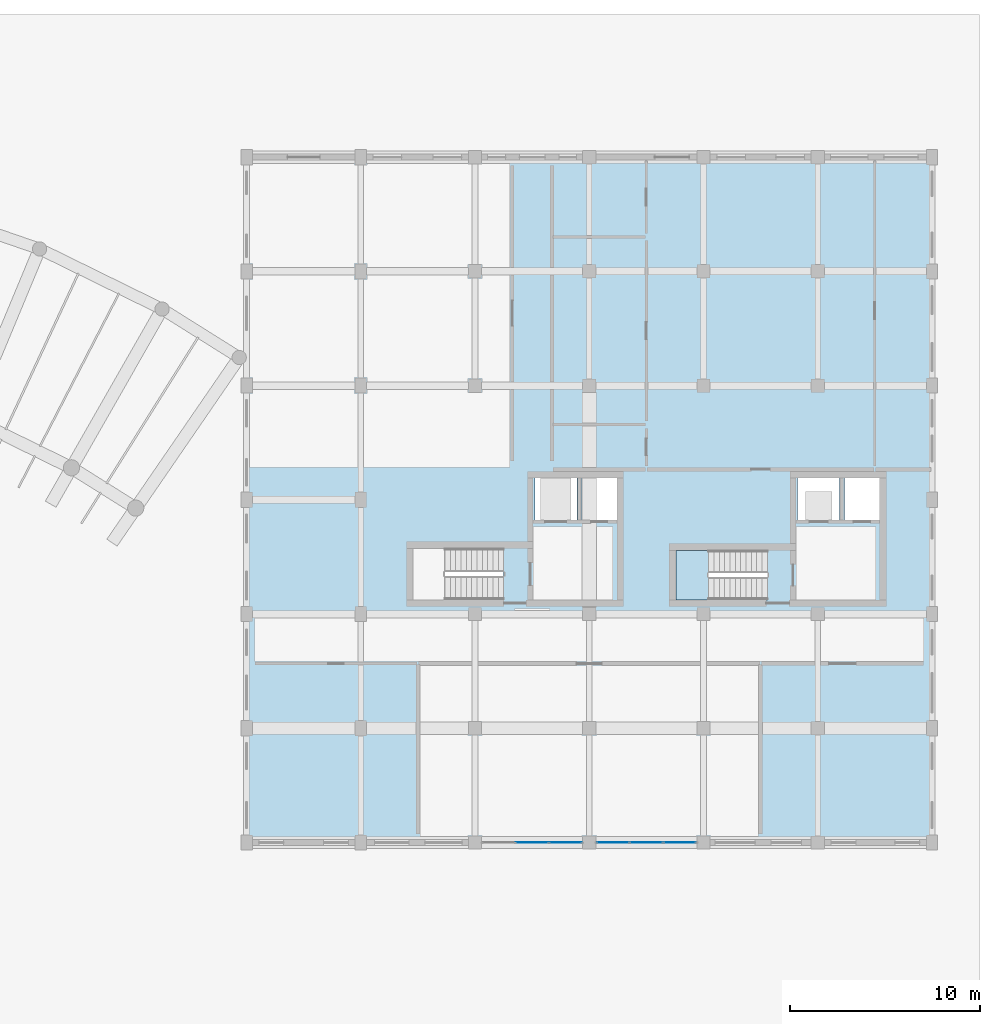
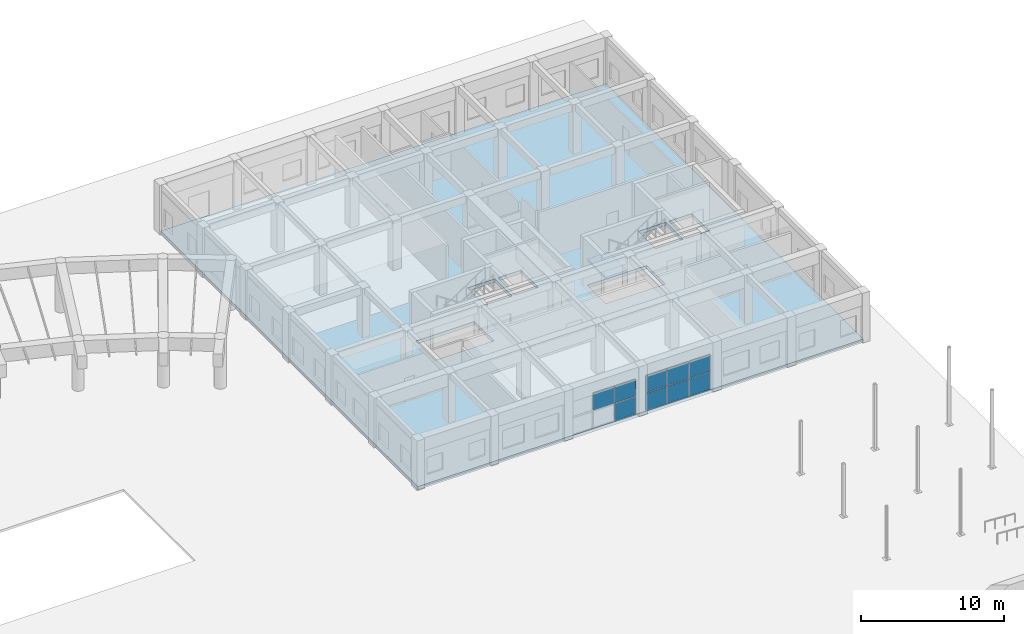
# One storey, part 44 of 76: 9 plates, 2 slabs, 3 elements without a shape of their own.
"""IFC4 building model written with IfcOpenShell, lengths in metres."""

from ifc_helpers import new_model, si_unit, direction, frame, origin, origin_2d, place, context, subcontext, project, spatial, polyline, rectangle, outline, extrude, material, layer, layer_set, type_object, element, aggregate, save


model = new_model("IFC4")

# Units and contexts
model_context = context("Model", 3, precision=1e-05, world=origin(), true_north=direction((0.0, 1.0)))
body_context = subcontext(model_context, "Body", "Model", "MODEL_VIEW")
ifc_project = project(units=[si_unit("LENGTHUNIT", "METRE"), si_unit("AREAUNIT", "SQUARE_METRE"), si_unit("VOLUMEUNIT", "CUBIC_METRE"), si_unit("PLANEANGLEUNIT", "RADIAN"), si_unit("MASSUNIT", "GRAM", prefix="KILO"), si_unit("POWERUNIT", "WATT"), si_unit("THERMODYNAMICTEMPERATUREUNIT", "KELVIN")], contexts=[model_context])

# Site, building, storey
site_placement = place(None, origin())
site = spatial("IfcSite", under=ifc_project, at=site_placement, CompositionType="ELEMENT")
building_placement = place(site_placement, origin())
building = spatial("IfcBuilding", under=site, at=building_placement, Name="Ruvembo Vaulted Housing Court", CompositionType="ELEMENT")
storey_placement = place(building_placement, origin())
storey = spatial("IfcBuildingStorey", under=building, at=storey_placement, Name="L00", CompositionType="ELEMENT", Elevation=0.0)

# Curtain wall, plates
ifc_material_1 = material(Name="Anodised Aluminium and Solar-Control Glass", Category="aluminium")
ifc_layer_1 = layer(ifc_material_1, 0.159912109375, Name="Anodised Aluminium and Solar-Control Glass")
ifc_layer_set_1 = layer_set([ifc_layer_1], Name="Anodised Aluminium and Solar-Control Glass")
curtain_wall_type = type_object("IfcCurtainWallType", Name="CW-LOBBY", PredefinedType="NOTDEFINED", material=ifc_layer_set_1)
curtain_wall_1_placement = place(storey_placement, origin())
curtain_wall_1 = element("IfcCurtainWall", 1, at=curtain_wall_1_placement, inside=storey, type_object=curtain_wall_type, Name="L00 Curtain Wall CW-L00-0008", PredefinedType="NOTDEFINED")
ifc_material_2 = material(Name="Solar-Control Laminated Insulating Glass", Category="glass")
ifc_layer_2 = layer(ifc_material_2, 0.028076171875, Name="Solar-Control Laminated Insulating Glass")
ifc_layer_set_2 = layer_set([ifc_layer_2], Name="Solar-Control Laminated Insulating Glass")
plate_type_1 = type_object("IfcPlateType", Name="CW-PANEL-GLAZED", PredefinedType="CURTAIN_PANEL", material=ifc_layer_set_2)
plate_1_placement = place(storey_placement, frame((169.248291015625, 72.0, 0.06005859375), z_axis=(0.0, 0.0, 1.0), x_axis=(1.0, 0.0, 0.0)))
plate_1 = element("IfcPlate", 2, at=plate_1_placement, type_object=plate_type_1, Name="CW5 panel 1.1", PredefinedType="CURTAIN_PANEL", context=body_context, shape_type="SweptSolid", body=[
    extrude(rectangle(XDim=1.6767578125, YDim=0.028076171875, at=origin_2d()), origin(), (0.0, 0.0, 1.0), 1.466064453125),
])
plate_2_placement = place(storey_placement, frame((169.248291015625, 72.0, 1.5859375), z_axis=(0.0, 0.0, 1.0), x_axis=(1.0, 0.0, 0.0)))
plate_2 = element("IfcPlate", 3, at=plate_2_placement, type_object=plate_type_1, Name="CW5 panel 1.2", PredefinedType="CURTAIN_PANEL", context=body_context, shape_type="SweptSolid", body=[
    extrude(rectangle(XDim=1.6767578125, YDim=0.028076171875, at=origin_2d()), origin(), (0.0, 0.0, 1.0), 1.466064453125),
])
plate_3_placement = place(storey_placement, frame((171.0, 72.0, 0.06005859375), z_axis=(0.0, 0.0, 1.0), x_axis=(1.0, 0.0, 0.0)))
plate_3 = element("IfcPlate", 4, at=plate_3_placement, type_object=plate_type_1, Name="CW5 panel 2.1", PredefinedType="CURTAIN_PANEL", context=body_context, shape_type="SweptSolid", body=[
    extrude(rectangle(XDim=1.706787109375, YDim=0.028076171875, at=origin_2d()), origin(), (0.0, 0.0, 1.0), 1.466064453125),
])
plate_4_placement = place(storey_placement, frame((171.0, 72.0, 1.5859375), z_axis=(0.0, 0.0, 1.0), x_axis=(1.0, 0.0, 0.0)))
plate_4 = element("IfcPlate", 5, at=plate_4_placement, type_object=plate_type_1, Name="CW5 panel 2.2", PredefinedType="CURTAIN_PANEL", context=body_context, shape_type="SweptSolid", body=[
    extrude(rectangle(XDim=1.706787109375, YDim=0.028076171875, at=origin_2d()), origin(), (0.0, 0.0, 1.0), 1.466064453125),
])
plate_5_placement = place(storey_placement, frame((172.751708984375, 72.0, 0.06005859375), z_axis=(0.0, 0.0, 1.0), x_axis=(1.0, 0.0, 0.0)))
plate_5 = element("IfcPlate", 6, at=plate_5_placement, type_object=plate_type_1, Name="CW5 panel 3.1", PredefinedType="CURTAIN_PANEL", context=body_context, shape_type="SweptSolid", body=[
    extrude(rectangle(XDim=1.6767578125, YDim=0.028076171875, at=origin_2d()), origin(), (0.0, 0.0, 1.0), 1.466064453125),
])
plate_6_placement = place(storey_placement, frame((172.751708984375, 72.0, 1.5859375), z_axis=(0.0, 0.0, 1.0), x_axis=(1.0, 0.0, 0.0)))
plate_6 = element("IfcPlate", 7, at=plate_6_placement, type_object=plate_type_1, Name="CW5 panel 3.2", PredefinedType="CURTAIN_PANEL", context=body_context, shape_type="SweptSolid", body=[
    extrude(rectangle(XDim=1.6767578125, YDim=0.028076171875, at=origin_2d()), origin(), (0.0, 0.0, 1.0), 1.466064453125),
])
aggregate(curtain_wall_1, [plate_1, plate_2, plate_3, plate_4, plate_5, plate_6])

curtain_wall_2_placement = place(storey_placement, origin())
curtain_wall_2 = element("IfcCurtainWall", 8, at=curtain_wall_2_placement, inside=storey, type_object=curtain_wall_type, Name="L00 Curtain Wall CW-L00-0007", PredefinedType="NOTDEFINED")
ifc_layer_3 = layer(ifc_material_2, 0.031982421875, Name="Solar-Control Laminated Insulating Glass")
ifc_layer_set_3 = layer_set([ifc_layer_3], Name="Solar-Control Laminated Insulating Glass")
plate_type_2 = type_object("IfcPlateType", Name="CW-PANEL-SOLAR", PredefinedType="CURTAIN_PANEL", material=ifc_layer_set_3)
plate_7_placement = place(storey_placement, frame((165.0, 72.0, 1.588623046875), z_axis=(0.0, 0.0, 1.0), x_axis=(1.0, 0.0, 0.0)))
plate_7 = element("IfcPlate", 9, at=plate_7_placement, type_object=plate_type_2, Name="CW5 panel 2.2", PredefinedType="CURTAIN_PANEL", context=body_context, shape_type="SweptSolid", body=[
    extrude(rectangle(XDim=1.711669921875, YDim=0.031982421875, at=origin_2d()), origin(), (0.0, 0.0, 1.0), 1.45849609375),
])
plate_8_placement = place(storey_placement, frame((166.7529296875, 72.0, 0.06494140625), z_axis=(0.0, 0.0, 1.0), x_axis=(1.0, 0.0, 0.0)))
plate_8 = element("IfcPlate", 10, at=plate_8_placement, type_object=plate_type_2, Name="CW5 panel 3.1", PredefinedType="CURTAIN_PANEL", context=body_context, shape_type="SweptSolid", body=[
    extrude(rectangle(XDim=1.68408203125, YDim=0.031982421875, at=origin_2d()), origin(), (0.0, 0.0, 1.0), 1.45849609375),
])
plate_9_placement = place(storey_placement, frame((166.7529296875, 72.0, 1.588623046875), z_axis=(0.0, 0.0, 1.0), x_axis=(1.0, 0.0, 0.0)))
plate_9 = element("IfcPlate", 11, at=plate_9_placement, type_object=plate_type_2, Name="CW5 panel 3.2", PredefinedType="CURTAIN_PANEL", context=body_context, shape_type="SweptSolid", body=[
    extrude(rectangle(XDim=1.68408203125, YDim=0.031982421875, at=origin_2d()), origin(), (0.0, 0.0, 1.0), 1.45849609375),
])
aggregate(curtain_wall_2, [plate_7, plate_8, plate_9])

# Slab
ifc_material_3 = material(Name="Concrete C30/37", Category="concrete")
ifc_layer_4 = layer(ifc_material_3, 0.284912109375, Name="Concrete C30/37")
ifc_layer_set_4 = layer_set([ifc_layer_4], Name="Concrete C30/37")
slab_type_1 = type_object("IfcSlabType", Name="SL-FLR-285", PredefinedType="FLOOR", material=ifc_layer_set_4)
slab_1_placement = place(storey_placement, frame((0.0, 0.0, -0.284912109375)))
element("IfcSlab", 12, at=slab_1_placement, inside=storey, type_object=slab_type_1, Name="Block D L00 Structural Floor Slab", PredefinedType="FLOOR", context=body_context, shape_type="SweptSolid", body=[
    extrude(outline(polyline([(186.0, 72.0), (186.0, 108.0), (150.0, 108.0), (150.0, 72.0), (186.0, 72.0)]), holes=[polyline([(163.5, 87.449951171875), (158.75, 87.449951171875), (158.75, 84.75), (163.5, 84.75), (163.5, 87.449951171875)]), polyline([(165.14990234375, 88.85009765625), (167.35009765625, 88.85009765625), (167.35009765625, 91.25), (165.14990234375, 91.25), (165.14990234375, 88.85009765625)]), polyline([(167.60009765625, 88.85009765625), (169.449951171875, 88.85009765625), (169.449951171875, 91.25), (167.60009765625, 91.25), (167.60009765625, 88.85009765625)]), polyline([(177.35009765625, 87.35009765625), (172.550048828125, 87.35009765625), (172.550048828125, 84.75), (177.35009765625, 84.75), (177.35009765625, 87.35009765625)]), polyline([(178.949951171875, 88.85009765625), (181.14990234375, 88.85009765625), (181.14990234375, 91.25), (178.949951171875, 91.25), (178.949951171875, 88.85009765625)]), polyline([(181.39990234375, 88.85009765625), (183.25, 88.85009765625), (183.25, 91.25), (181.39990234375, 91.25), (181.39990234375, 88.85009765625)])]), origin(), (0.0, 0.0, 1.0), 0.284912109375),
])

# Stair, slab
ifc_material_4 = material(Name="Concrete C35/45", Category="concrete")
stair_type = type_object("IfcStairType", Name="STR-CORE-1200", PredefinedType="HALF_TURN_STAIR", material=ifc_material_4)
stair_placement = place(storey_placement, origin())
stair = element("IfcStair", 13, at=stair_placement, inside=storey, type_object=stair_type, Name="L00 Protected Exit Stair ST-D2", PredefinedType="HALF_TURN_STAIR")
ifc_layer_5 = layer(ifc_material_3, 0.201904296875, Name="Concrete C30/37")
ifc_layer_set_5 = layer_set([ifc_layer_5], Name="Concrete C30/37")
slab_type_2 = type_object("IfcSlabType", Name="SL-LAND-202", PredefinedType="LANDING", material=ifc_layer_set_5)
slab_2_placement = place(storey_placement, frame((0.0, 0.0, 2.050048828125)))
slab_2 = element("IfcSlab", 14, at=slab_2_placement, type_object=slab_type_2, Name="ST-D2 landing 1", PredefinedType="LANDING", context=body_context, shape_type="SweptSolid", body=[
    extrude(outline(polyline([(174.27001953125, 87.35009765625), (172.550048828125, 87.35009765625), (172.550048828125, 84.75), (174.27001953125, 84.75), (174.27001953125, 87.35009765625)])), origin(), (0.0, 0.0, 1.0), 0.199951171875),
])
aggregate(stair, [slab_2])

save(model, "model.ifc")
